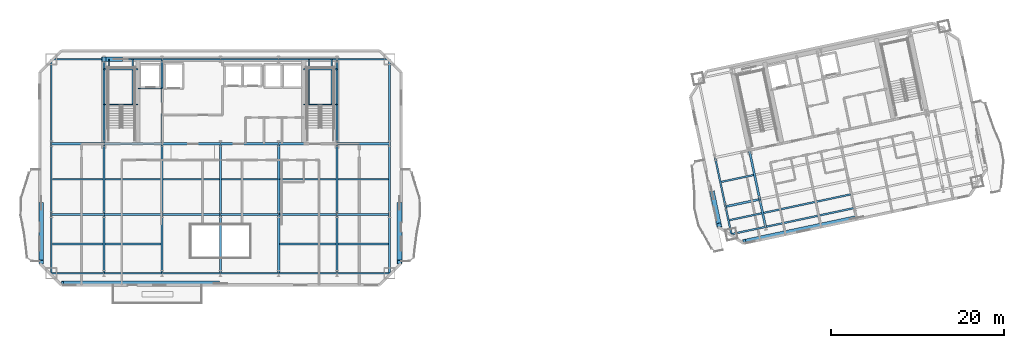
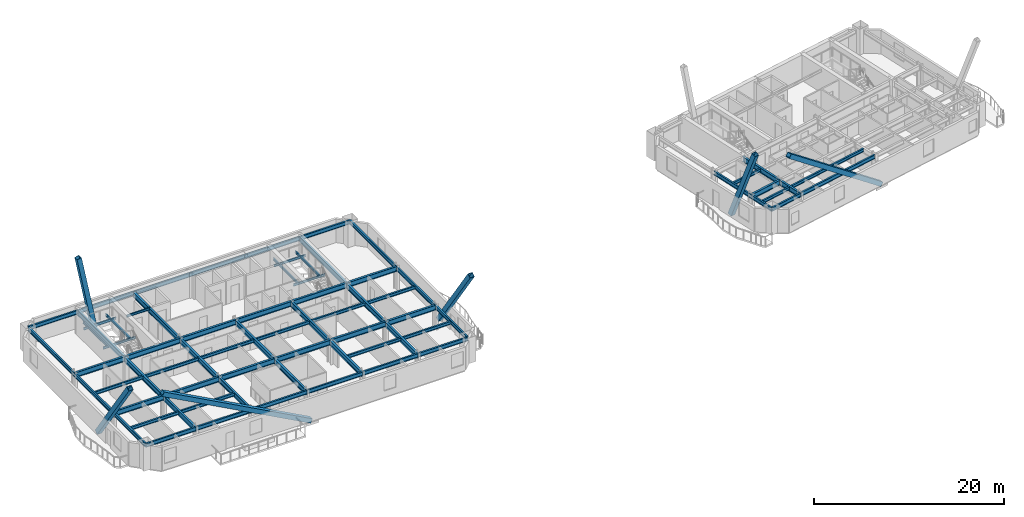
# One storey, part 3 of 13: 72 beams, 6 members.
"""IFC4 building model written with IfcOpenShell, lengths in metres."""

from ifc_helpers import new_model, si_unit, direction, frame, origin, origin_2d, place, context, subcontext, project, spatial, hollow_rectangle, i_section, extrude, material, material_profile, profile_set, type_object, element, save


model = new_model("IFC4")

# Units and contexts
model_context = context("Model", 3, precision=1e-05, world=origin(), true_north=direction((0.0, 1.0)))
body_context = subcontext(model_context, "Body", "Model", "MODEL_VIEW")
ifc_project = project(units=[si_unit("LENGTHUNIT", "METRE"), si_unit("AREAUNIT", "SQUARE_METRE"), si_unit("VOLUMEUNIT", "CUBIC_METRE"), si_unit("PLANEANGLEUNIT", "RADIAN"), si_unit("MASSUNIT", "GRAM", prefix="KILO")], contexts=[model_context])

# Site, building, storey
site_placement = place(None, origin())
site = spatial("IfcSite", under=ifc_project, at=site_placement, CompositionType="ELEMENT")
building_placement = place(site_placement, origin())
building = spatial("IfcBuilding", under=site, at=building_placement, Name="Haevon Station Towers", CompositionType="ELEMENT")
storey_placement = place(building_placement, frame((0.0, 0.0, 165.89990234375)))
storey = spatial("IfcBuildingStorey", under=building, at=storey_placement, Name="L45", CompositionType="ELEMENT", Elevation=165.89990234375)

# Beams
ifc_material_1 = material(Name="Steel S355", Category="steel")
ifc_material_profile_1 = material_profile(ifc_material_1, i_section(OverallWidth=0.25, OverallDepth=0.64990234375, WebThickness=0.012939453125, FlangeThickness=0.02197265625, at=origin_2d()), Name="H-650x250x13x22")
ifc_profile_set_1 = profile_set([ifc_material_profile_1], Name="Steel S355")
beam_type_1 = type_object("IfcBeamType", Name="BM-G650", PredefinedType="BEAM", material=ifc_profile_set_1)
beam_1_placement = place(storey_placement, frame((17.925048828125, 30.0, 2.72509765625), z_axis=(1.0, 0.0, 0.0), x_axis=(0.0, 1.0, 0.0)))
element("IfcBeam", 1, at=beam_1_placement, inside=storey, type_object=beam_type_1, Name="BM-T1U-L45-02-01", PredefinedType="BEAM", context=body_context, shape_type="SweptSolid", body=[
    extrude(i_section(OverallWidth=0.25, OverallDepth=0.64990234375, WebThickness=0.012939453125, FlangeThickness=0.02197265625, at=origin_2d()), origin(), (0.0, 0.0, 1.0), 6.074951171875),
])
for number, where, z_axis, x_axis, name in (
    (2, (24.0, 30.0, 2.72509765625), (1.0, 0.0, 0.0), (0.0, 1.0, 0.0), "BM-T1U-L45-02-02"),
    (3, (30.75, 30.0, 2.72509765625), (1.0, 0.0, 0.0), (0.0, 1.0, 0.0), "BM-T1U-L45-02-03"),
    (4, (37.5, 30.0, 2.72509765625), (1.0, 0.0, 0.0), (0.0, 1.0, 0.0), "BM-T1U-L45-02-04"),
    (5, (44.25, 30.0, 2.72509765625), (1.0, 0.0, 0.0), (0.0, 1.0, 0.0), "BM-T1U-L45-02-05"),
):
    element("IfcBeam", number, at=place(storey_placement, frame(where, z_axis=z_axis, x_axis=x_axis)), inside=storey, type_object=beam_type_1, Name=name, PredefinedType="BEAM", context=body_context, shape_type="SweptSolid", body=[
        extrude(i_section(OverallWidth=0.25, OverallDepth=0.64990234375, WebThickness=0.012939453125, FlangeThickness=0.02197265625, at=origin_2d()), origin(), (0.0, 0.0, 1.0), 6.75),
    ])
for number, where, z_axis, x_axis, name in (
    (6, (51.0, 30.0, 2.72509765625), (1.0, 0.0, 0.0), (0.0, 1.0, 0.0), "BM-T1U-L45-02-06"),
    (7, (17.925048828125, 38.199951171875, 2.72509765625), (1.0, 0.0, 0.0), (0.0, 1.0, 0.0), "BM-T1U-L45-03-01"),
):
    element("IfcBeam", number, at=place(storey_placement, frame(where, z_axis=z_axis, x_axis=x_axis)), inside=storey, type_object=beam_type_1, Name=name, PredefinedType="BEAM", context=body_context, shape_type="SweptSolid", body=[
        extrude(i_section(OverallWidth=0.25, OverallDepth=0.64990234375, WebThickness=0.012939453125, FlangeThickness=0.02197265625, at=origin_2d()), origin(), (0.0, 0.0, 1.0), 6.074951171875),
    ])
for number, where, z_axis, x_axis, name in (
    (8, (24.0, 38.199951171875, 2.72509765625), (1.0, 0.0, 0.0), (0.0, 1.0, 0.0), "BM-T1U-L45-03-02"),
    (9, (30.75, 38.199951171875, 2.72509765625), (1.0, 0.0, 0.0), (0.0, 1.0, 0.0), "BM-T1U-L45-03-03"),
    (10, (37.5, 38.199951171875, 2.72509765625), (1.0, 0.0, 0.0), (0.0, 1.0, 0.0), "BM-T1U-L45-03-04"),
    (11, (44.25, 38.199951171875, 2.72509765625), (1.0, 0.0, 0.0), (0.0, 1.0, 0.0), "BM-T1U-L45-03-05"),
):
    element("IfcBeam", number, at=place(storey_placement, frame(where, z_axis=z_axis, x_axis=x_axis)), inside=storey, type_object=beam_type_1, Name=name, PredefinedType="BEAM", context=body_context, shape_type="SweptSolid", body=[
        extrude(i_section(OverallWidth=0.25, OverallDepth=0.64990234375, WebThickness=0.012939453125, FlangeThickness=0.02197265625, at=origin_2d()), origin(), (0.0, 0.0, 1.0), 6.75),
    ])
beam_2_placement = place(storey_placement, frame((51.0, 38.199951171875, 2.72509765625), z_axis=(1.0, 0.0, 0.0), x_axis=(0.0, 1.0, 0.0)))
element("IfcBeam", 12, at=beam_2_placement, inside=storey, type_object=beam_type_1, Name="BM-T1U-L45-03-06", PredefinedType="BEAM", context=body_context, shape_type="SweptSolid", body=[
    extrude(i_section(OverallWidth=0.25, OverallDepth=0.64990234375, WebThickness=0.012939453125, FlangeThickness=0.02197265625, at=origin_2d()), origin(), (0.0, 0.0, 1.0), 6.074951171875),
])
beam_3_placement = place(storey_placement, frame((24.0, 23.199951171875, 2.72509765625), z_axis=(0.0, 1.0, 0.0), x_axis=(-1.0, 0.0, 0.0)))
element("IfcBeam", 13, at=beam_3_placement, inside=storey, type_object=beam_type_1, Name="BM-T1V-L45-02-01", PredefinedType="BEAM", context=body_context, shape_type="SweptSolid", body=[
    extrude(i_section(OverallWidth=0.25, OverallDepth=0.64990234375, WebThickness=0.012939453125, FlangeThickness=0.02197265625, at=origin_2d()), origin(), (0.0, 0.0, 1.0), 6.800048828125),
])
beam_4_placement = place(storey_placement, frame((24.0, 30.0, 2.72509765625), z_axis=(0.0, 1.0, 0.0), x_axis=(-1.0, 0.0, 0.0)))
element("IfcBeam", 14, at=beam_4_placement, inside=storey, type_object=beam_type_1, Name="BM-T1V-L45-02-02", PredefinedType="BEAM", context=body_context, shape_type="SweptSolid", body=[
    extrude(i_section(OverallWidth=0.25, OverallDepth=0.64990234375, WebThickness=0.012939453125, FlangeThickness=0.02197265625, at=origin_2d()), origin(), (0.0, 0.0, 1.0), 8.199951171875),
])
beam_5_placement = place(storey_placement, frame((24.0, 38.199951171875, 2.72509765625), z_axis=(0.0, 1.0, 0.0), x_axis=(-1.0, 0.0, 0.0)))
element("IfcBeam", 15, at=beam_5_placement, inside=storey, type_object=beam_type_1, Name="BM-T1V-L45-02-03", PredefinedType="BEAM", context=body_context, shape_type="SweptSolid", body=[
    extrude(i_section(OverallWidth=0.25, OverallDepth=0.64990234375, WebThickness=0.012939453125, FlangeThickness=0.02197265625, at=origin_2d()), origin(), (0.0, 0.0, 1.0), 9.800048828125),
])
beam_6_placement = place(storey_placement, frame((30.75, 23.199951171875, 2.72509765625), z_axis=(0.0, 1.0, 0.0), x_axis=(-1.0, 0.0, 0.0)))
element("IfcBeam", 16, at=beam_6_placement, inside=storey, type_object=beam_type_1, Name="BM-T1V-L45-03-01", PredefinedType="BEAM", context=body_context, shape_type="SweptSolid", body=[
    extrude(i_section(OverallWidth=0.25, OverallDepth=0.64990234375, WebThickness=0.012939453125, FlangeThickness=0.02197265625, at=origin_2d()), origin(), (0.0, 0.0, 1.0), 6.800048828125),
])
beam_7_placement = place(storey_placement, frame((30.75, 30.0, 2.72509765625), z_axis=(0.0, 1.0, 0.0), x_axis=(-1.0, 0.0, 0.0)))
element("IfcBeam", 17, at=beam_7_placement, inside=storey, type_object=beam_type_1, Name="BM-T1V-L45-03-02", PredefinedType="BEAM", context=body_context, shape_type="SweptSolid", body=[
    extrude(i_section(OverallWidth=0.25, OverallDepth=0.64990234375, WebThickness=0.012939453125, FlangeThickness=0.02197265625, at=origin_2d()), origin(), (0.0, 0.0, 1.0), 8.199951171875),
])
beam_8_placement = place(storey_placement, frame((30.75, 38.199951171875, 2.72509765625), z_axis=(0.0, 1.0, 0.0), x_axis=(-1.0, 0.0, 0.0)))
element("IfcBeam", 18, at=beam_8_placement, inside=storey, type_object=beam_type_1, Name="BM-T1V-L45-03-03", PredefinedType="BEAM", context=body_context, shape_type="SweptSolid", body=[
    extrude(i_section(OverallWidth=0.25, OverallDepth=0.64990234375, WebThickness=0.012939453125, FlangeThickness=0.02197265625, at=origin_2d()), origin(), (0.0, 0.0, 1.0), 9.800048828125),
])
beam_9_placement = place(storey_placement, frame((37.5, 23.199951171875, 2.72509765625), z_axis=(0.0, 1.0, 0.0), x_axis=(-1.0, 0.0, 0.0)))
element("IfcBeam", 19, at=beam_9_placement, inside=storey, type_object=beam_type_1, Name="BM-T1V-L45-04-01", PredefinedType="BEAM", context=body_context, shape_type="SweptSolid", body=[
    extrude(i_section(OverallWidth=0.25, OverallDepth=0.64990234375, WebThickness=0.012939453125, FlangeThickness=0.02197265625, at=origin_2d()), origin(), (0.0, 0.0, 1.0), 6.800048828125),
])
beam_10_placement = place(storey_placement, frame((37.5, 30.0, 2.72509765625), z_axis=(0.0, 1.0, 0.0), x_axis=(-1.0, 0.0, 0.0)))
element("IfcBeam", 20, at=beam_10_placement, inside=storey, type_object=beam_type_1, Name="BM-T1V-L45-04-02", PredefinedType="BEAM", context=body_context, shape_type="SweptSolid", body=[
    extrude(i_section(OverallWidth=0.25, OverallDepth=0.64990234375, WebThickness=0.012939453125, FlangeThickness=0.02197265625, at=origin_2d()), origin(), (0.0, 0.0, 1.0), 8.199951171875),
])
beam_11_placement = place(storey_placement, frame((44.25, 23.199951171875, 2.72509765625), z_axis=(0.0, 1.0, 0.0), x_axis=(-1.0, 0.0, 0.0)))
element("IfcBeam", 21, at=beam_11_placement, inside=storey, type_object=beam_type_1, Name="BM-T1V-L45-05-01", PredefinedType="BEAM", context=body_context, shape_type="SweptSolid", body=[
    extrude(i_section(OverallWidth=0.25, OverallDepth=0.64990234375, WebThickness=0.012939453125, FlangeThickness=0.02197265625, at=origin_2d()), origin(), (0.0, 0.0, 1.0), 6.800048828125),
])
beam_12_placement = place(storey_placement, frame((44.25, 30.0, 2.72509765625), z_axis=(0.0, 1.0, 0.0), x_axis=(-1.0, 0.0, 0.0)))
element("IfcBeam", 22, at=beam_12_placement, inside=storey, type_object=beam_type_1, Name="BM-T1V-L45-05-02", PredefinedType="BEAM", context=body_context, shape_type="SweptSolid", body=[
    extrude(i_section(OverallWidth=0.25, OverallDepth=0.64990234375, WebThickness=0.012939453125, FlangeThickness=0.02197265625, at=origin_2d()), origin(), (0.0, 0.0, 1.0), 8.199951171875),
])
beam_13_placement = place(storey_placement, frame((51.0, 23.199951171875, 2.72509765625), z_axis=(0.0, 1.0, 0.0), x_axis=(-1.0, 0.0, 0.0)))
element("IfcBeam", 23, at=beam_13_placement, inside=storey, type_object=beam_type_1, Name="BM-T1V-L45-06-01", PredefinedType="BEAM", context=body_context, shape_type="SweptSolid", body=[
    extrude(i_section(OverallWidth=0.25, OverallDepth=0.64990234375, WebThickness=0.012939453125, FlangeThickness=0.02197265625, at=origin_2d()), origin(), (0.0, 0.0, 1.0), 6.800048828125),
])
beam_14_placement = place(storey_placement, frame((51.0, 30.0, 2.72509765625), z_axis=(0.0, 1.0, 0.0), x_axis=(-1.0, 0.0, 0.0)))
element("IfcBeam", 24, at=beam_14_placement, inside=storey, type_object=beam_type_1, Name="BM-T1V-L45-06-02", PredefinedType="BEAM", context=body_context, shape_type="SweptSolid", body=[
    extrude(i_section(OverallWidth=0.25, OverallDepth=0.64990234375, WebThickness=0.012939453125, FlangeThickness=0.02197265625, at=origin_2d()), origin(), (0.0, 0.0, 1.0), 8.199951171875),
])
beam_15_placement = place(storey_placement, frame((51.0, 38.199951171875, 2.72509765625), z_axis=(0.0, 1.0, 0.0), x_axis=(-1.0, 0.0, 0.0)))
element("IfcBeam", 25, at=beam_15_placement, inside=storey, type_object=beam_type_1, Name="BM-T1V-L45-06-03", PredefinedType="BEAM", context=body_context, shape_type="SweptSolid", body=[
    extrude(i_section(OverallWidth=0.25, OverallDepth=0.64990234375, WebThickness=0.012939453125, FlangeThickness=0.02197265625, at=origin_2d()), origin(), (0.0, 0.0, 1.0), 9.800048828125),
])
beam_16_placement = place(storey_placement, frame((95.996826171875, 30.927001953125, 2.72509765625), z_axis=(0.978146899108, 0.207914991681, 0.0), x_axis=(-0.207914991681, 0.978146899108, 0.0)))
element("IfcBeam", 26, at=beam_16_placement, inside=storey, type_object=beam_type_1, Name="BM-T2U-L45-02-01", PredefinedType="BEAM", context=body_context, shape_type="SweptSolid", body=[
    extrude(i_section(OverallWidth=0.25, OverallDepth=0.64990234375, WebThickness=0.012939453125, FlangeThickness=0.02197265625, at=origin_2d()), origin(), (0.0, 0.0, 1.0), 4.050048828125),
])
beam_17_placement = place(storey_placement, frame((100.635986328125, 28.580322265625, 2.72509765625), z_axis=(-0.207897270364, 0.978150665785, 0.0), x_axis=(-0.978150665785, -0.207897270364, 0.0)))
element("IfcBeam", 27, at=beam_17_placement, inside=storey, type_object=beam_type_1, Name="BM-T2V-L45-02-01", PredefinedType="BEAM", context=body_context, shape_type="SweptSolid", body=[
    extrude(i_section(OverallWidth=0.25, OverallDepth=0.64990234375, WebThickness=0.012939453125, FlangeThickness=0.02197265625, at=origin_2d()), origin(), (0.0, 0.0, 1.0), 3.260009765625),
])
beam_18_placement = place(storey_placement, frame((99.958251953125, 31.76904296875, 2.72509765625), z_axis=(-0.207896009217, 0.97815093383, 0.0), x_axis=(-0.97815093383, -0.207896009217, 0.0)))
element("IfcBeam", 28, at=beam_18_placement, inside=storey, type_object=beam_type_1, Name="BM-T2V-L45-02-02", PredefinedType="BEAM", context=body_context, shape_type="SweptSolid", body=[
    extrude(i_section(OverallWidth=0.25, OverallDepth=0.64990234375, WebThickness=0.012939453125, FlangeThickness=0.02197265625, at=origin_2d()), origin(), (0.0, 0.0, 1.0), 5.800048828125),
])
ifc_material_profile_2 = material_profile(ifc_material_1, i_section(OverallWidth=0.199951171875, OverallDepth=0.39990234375, WebThickness=0.008056640625, FlangeThickness=0.012939453125, at=origin_2d()), Name="H-400x200x8x13")
ifc_profile_set_2 = profile_set([ifc_material_profile_2], Name="Steel S355")
beam_type_2 = type_object("IfcBeamType", Name="BM-J400", PredefinedType="JOIST", material=ifc_profile_set_2)
beam_19_placement = place(storey_placement, frame((18.034912109375, 26.60009765625, 2.85009765625), z_axis=(1.0, 0.0, 0.0), x_axis=(0.0, 1.0, 0.0)))
element("IfcBeam", 29, at=beam_19_placement, inside=storey, type_object=beam_type_2, Name="BM-T1J-L45-01-01", PredefinedType="JOIST", context=body_context, shape_type="SweptSolid", body=[
    extrude(i_section(OverallWidth=0.199951171875, OverallDepth=0.39990234375, WebThickness=0.008056640625, FlangeThickness=0.012939453125, at=origin_2d()), origin(), (0.0, 0.0, 1.0), 5.85498046875),
])
for number, where, z_axis, x_axis, name in (
    (30, (24.110107421875, 26.60009765625, 2.85009765625), (1.0, 0.0, 0.0), (0.0, 1.0, 0.0), "BM-T1J-L45-01-02"),
    (31, (44.360107421875, 26.60009765625, 2.85009765625), (1.0, 0.0, 0.0), (0.0, 1.0, 0.0), "BM-T1J-L45-01-05"),
):
    element("IfcBeam", number, at=place(storey_placement, frame(where, z_axis=z_axis, x_axis=x_axis)), inside=storey, type_object=beam_type_2, Name=name, PredefinedType="JOIST", context=body_context, shape_type="SweptSolid", body=[
        extrude(i_section(OverallWidth=0.199951171875, OverallDepth=0.39990234375, WebThickness=0.008056640625, FlangeThickness=0.012939453125, at=origin_2d()), origin(), (0.0, 0.0, 1.0), 6.52978515625),
    ])
for number, where, z_axis, x_axis, name in (
    (32, (51.110107421875, 26.60009765625, 2.85009765625), (1.0, 0.0, 0.0), (0.0, 1.0, 0.0), "BM-T1J-L45-01-06"),
    (33, (18.034912109375, 34.10009765625, 2.85009765625), (1.0, 0.0, 0.0), (0.0, 1.0, 0.0), "BM-T1J-L45-02-01"),
):
    element("IfcBeam", number, at=place(storey_placement, frame(where, z_axis=z_axis, x_axis=x_axis)), inside=storey, type_object=beam_type_2, Name=name, PredefinedType="JOIST", context=body_context, shape_type="SweptSolid", body=[
        extrude(i_section(OverallWidth=0.199951171875, OverallDepth=0.39990234375, WebThickness=0.008056640625, FlangeThickness=0.012939453125, at=origin_2d()), origin(), (0.0, 0.0, 1.0), 5.85498046875),
    ])
for number, where, z_axis, x_axis, name in (
    (34, (24.110107421875, 34.10009765625, 2.85009765625), (1.0, 0.0, 0.0), (0.0, 1.0, 0.0), "BM-T1J-L45-02-02"),
    (35, (30.860107421875, 34.10009765625, 2.85009765625), (1.0, 0.0, 0.0), (0.0, 1.0, 0.0), "BM-T1J-L45-02-03"),
    (36, (37.610107421875, 34.10009765625, 2.85009765625), (1.0, 0.0, 0.0), (0.0, 1.0, 0.0), "BM-T1J-L45-02-04"),
    (37, (44.360107421875, 34.10009765625, 2.85009765625), (1.0, 0.0, 0.0), (0.0, 1.0, 0.0), "BM-T1J-L45-02-05"),
):
    element("IfcBeam", number, at=place(storey_placement, frame(where, z_axis=z_axis, x_axis=x_axis)), inside=storey, type_object=beam_type_2, Name=name, PredefinedType="JOIST", context=body_context, shape_type="SweptSolid", body=[
        extrude(i_section(OverallWidth=0.199951171875, OverallDepth=0.39990234375, WebThickness=0.008056640625, FlangeThickness=0.012939453125, at=origin_2d()), origin(), (0.0, 0.0, 1.0), 6.52978515625),
    ])
beam_20_placement = place(storey_placement, frame((51.110107421875, 34.10009765625, 2.85009765625), z_axis=(1.0, 0.0, 0.0), x_axis=(0.0, 1.0, 0.0)))
element("IfcBeam", 38, at=beam_20_placement, inside=storey, type_object=beam_type_2, Name="BM-T1J-L45-02-06", PredefinedType="JOIST", context=body_context, shape_type="SweptSolid", body=[
    extrude(i_section(OverallWidth=0.199951171875, OverallDepth=0.39990234375, WebThickness=0.008056640625, FlangeThickness=0.012939453125, at=origin_2d()), origin(), (0.0, 0.0, 1.0), 5.85498046875),
])
beam_21_placement = place(storey_placement, frame((96.443115234375, 29.355712890625, 2.85009765625), z_axis=(0.978156420772, 0.207870191472, 0.0), x_axis=(-0.207870191472, 0.978156420772, 0.0)))
element("IfcBeam", 39, at=beam_21_placement, inside=storey, type_object=beam_type_2, Name="BM-T2J-L45-01-01", PredefinedType="JOIST", context=body_context, shape_type="SweptSolid", body=[
    extrude(i_section(OverallWidth=0.199951171875, OverallDepth=0.39990234375, WebThickness=0.008056640625, FlangeThickness=0.012939453125, at=origin_2d()), origin(), (0.0, 0.0, 1.0), 3.830078125),
])
beam_22_placement = place(storey_placement, frame((100.40478515625, 30.19775390625, 2.85009765625), z_axis=(0.978150339653, 0.207898804801, 0.0), x_axis=(-0.207898804801, 0.978150339653, 0.0)))
element("IfcBeam", 40, at=beam_22_placement, inside=storey, type_object=beam_type_2, Name="BM-T2J-L45-01-02", PredefinedType="JOIST", context=body_context, shape_type="SweptSolid", body=[
    extrude(i_section(OverallWidth=0.199951171875, OverallDepth=0.39990234375, WebThickness=0.008056640625, FlangeThickness=0.012939453125, at=origin_2d()), origin(), (0.0, 0.0, 1.0), 10.280029296875),
])
beam_23_placement = place(storey_placement, frame((95.50146484375, 33.78662109375, 2.85009765625), z_axis=(0.97814345794, 0.207931180176, 0.0), x_axis=(-0.207931180176, 0.97814345794, 0.0)))
element("IfcBeam", 41, at=beam_23_placement, inside=storey, type_object=beam_type_2, Name="BM-T2J-L45-02-01", PredefinedType="JOIST", context=body_context, shape_type="SweptSolid", body=[
    extrude(i_section(OverallWidth=0.199951171875, OverallDepth=0.39990234375, WebThickness=0.008056640625, FlangeThickness=0.012939453125, at=origin_2d()), origin(), (0.0, 0.0, 1.0), 3.830078125),
])
ifc_material_profile_3 = material_profile(ifc_material_1, i_section(OverallWidth=0.14990234375, OverallDepth=0.300048828125, WebThickness=0.006591796875, FlangeThickness=0.009033203125, at=origin_2d()), Name="H-300x150x6.5x9")
ifc_profile_set_3 = profile_set([ifc_material_profile_3], Name="Steel S355")
beam_type_3 = type_object("IfcBeamType", Name="BM-LIN300", PredefinedType="LINTEL", material=ifc_profile_set_3)
for number, where, z_axis, x_axis, name in (
    (42, (24.0, 42.743896484375, 1.300048828125), (1.0, 0.0, 0.0), (0.0, 1.0, 0.0), "BM-ST1L-L45-1-S"),
    (43, (24.0, 46.820068359375, 1.300048828125), (1.0, 0.0, 0.0), (0.0, 1.0, 0.0), "BM-ST1L-L45-1-N"),
):
    element("IfcBeam", number, at=place(storey_placement, frame(where, z_axis=z_axis, x_axis=x_axis)), inside=storey, type_object=beam_type_3, Name=name, PredefinedType="LINTEL", context=body_context, shape_type="SweptSolid", body=[
        extrude(i_section(OverallWidth=0.14990234375, OverallDepth=0.300048828125, WebThickness=0.006591796875, FlangeThickness=0.009033203125, at=origin_2d()), origin(), (0.0, 0.0, 1.0), 3.949951171875),
    ])
for number, where, z_axis, x_axis, name in (
    (44, (24.60009765625, 42.743896484375, 1.300048828125), (0.0, 1.0, 0.0), (-1.0, 0.0, 0.0), "BM-ST1L-L45-1-W"),
    (45, (27.35009765625, 42.743896484375, 1.300048828125), (0.0, 1.0, 0.0), (-1.0, 0.0, 0.0), "BM-ST1L-L45-1-E"),
):
    element("IfcBeam", number, at=place(storey_placement, frame(where, z_axis=z_axis, x_axis=x_axis)), inside=storey, type_object=beam_type_3, Name=name, PredefinedType="LINTEL", context=body_context, shape_type="SweptSolid", body=[
        extrude(i_section(OverallWidth=0.14990234375, OverallDepth=0.300048828125, WebThickness=0.006591796875, FlangeThickness=0.009033203125, at=origin_2d()), origin(), (0.0, 0.0, 1.0), 5.256103515625),
    ])
for number, where, z_axis, x_axis, name in (
    (46, (47.14990234375, 42.743896484375, 1.300048828125), (1.0, 0.0, 0.0), (0.0, 1.0, 0.0), "BM-ST2L-L45-1-S"),
    (47, (47.14990234375, 46.820068359375, 1.300048828125), (1.0, 0.0, 0.0), (0.0, 1.0, 0.0), "BM-ST2L-L45-1-N"),
):
    element("IfcBeam", number, at=place(storey_placement, frame(where, z_axis=z_axis, x_axis=x_axis)), inside=storey, type_object=beam_type_3, Name=name, PredefinedType="LINTEL", context=body_context, shape_type="SweptSolid", body=[
        extrude(i_section(OverallWidth=0.14990234375, OverallDepth=0.300048828125, WebThickness=0.006591796875, FlangeThickness=0.009033203125, at=origin_2d()), origin(), (0.0, 0.0, 1.0), 3.85009765625),
    ])
for number, where, z_axis, x_axis, name in (
    (48, (47.75, 42.743896484375, 1.300048828125), (0.0, 1.0, 0.0), (-1.0, 0.0, 0.0), "BM-ST2L-L45-1-W"),
    (49, (50.39990234375, 42.743896484375, 1.300048828125), (0.0, 1.0, 0.0), (-1.0, 0.0, 0.0), "BM-ST2L-L45-1-E"),
):
    element("IfcBeam", number, at=place(storey_placement, frame(where, z_axis=z_axis, x_axis=x_axis)), inside=storey, type_object=beam_type_3, Name=name, PredefinedType="LINTEL", context=body_context, shape_type="SweptSolid", body=[
        extrude(i_section(OverallWidth=0.14990234375, OverallDepth=0.300048828125, WebThickness=0.006591796875, FlangeThickness=0.009033203125, at=origin_2d()), origin(), (0.0, 0.0, 1.0), 5.256103515625),
    ])
beam_24_placement = place(storey_placement, frame((27.949951171875, 44.60009765625, 2.900146484375), z_axis=(1.0, 0.0, 0.0), x_axis=(0.0, 1.0, 0.0)))
element("IfcBeam", 50, at=beam_24_placement, inside=storey, type_object=beam_type_3, Name="BM-T1LIN-L45", PredefinedType="LINTEL", context=body_context, shape_type="SweptSolid", body=[
    extrude(i_section(OverallWidth=0.14990234375, OverallDepth=0.300048828125, WebThickness=0.006591796875, FlangeThickness=0.009033203125, at=origin_2d()), origin(), (0.0, 0.0, 1.0), 2.85009765625),
])
ifc_material_profile_4 = material_profile(ifc_material_1, i_section(OverallWidth=0.199951171875, OverallDepth=0.5, WebThickness=0.010009765625, FlangeThickness=0.01611328125, at=origin_2d()), Name="H-500x200x10x16")
ifc_profile_set_4 = profile_set([ifc_material_profile_4], Name="Steel S355")
beam_type_4 = type_object("IfcBeamType", Name="BM-SP500", PredefinedType="SPANDREL", material=ifc_profile_set_4)
beam_25_placement = place(storey_placement, frame((17.925048828125, 23.199951171875, 2.800048828125), z_axis=(1.0, 0.0, 0.0), x_axis=(0.0, 1.0, 0.0)))
element("IfcBeam", 51, at=beam_25_placement, inside=storey, type_object=beam_type_4, Name="BM-T1U-L45-01-01", PredefinedType="SPANDREL", context=body_context, shape_type="SweptSolid", body=[
    extrude(i_section(OverallWidth=0.199951171875, OverallDepth=0.5, WebThickness=0.010009765625, FlangeThickness=0.01611328125, at=origin_2d()), origin(), (0.0, 0.0, 1.0), 6.074951171875),
])
for number, where, z_axis, x_axis, name in (
    (52, (24.0, 23.199951171875, 2.800048828125), (1.0, 0.0, 0.0), (0.0, 1.0, 0.0), "BM-T1U-L45-01-02"),
    (53, (30.75, 23.199951171875, 2.800048828125), (1.0, 0.0, 0.0), (0.0, 1.0, 0.0), "BM-T1U-L45-01-03"),
    (54, (37.5, 23.199951171875, 2.800048828125), (1.0, 0.0, 0.0), (0.0, 1.0, 0.0), "BM-T1U-L45-01-04"),
    (55, (44.25, 23.199951171875, 2.800048828125), (1.0, 0.0, 0.0), (0.0, 1.0, 0.0), "BM-T1U-L45-01-05"),
):
    element("IfcBeam", number, at=place(storey_placement, frame(where, z_axis=z_axis, x_axis=x_axis)), inside=storey, type_object=beam_type_4, Name=name, PredefinedType="SPANDREL", context=body_context, shape_type="SweptSolid", body=[
        extrude(i_section(OverallWidth=0.199951171875, OverallDepth=0.5, WebThickness=0.010009765625, FlangeThickness=0.01611328125, at=origin_2d()), origin(), (0.0, 0.0, 1.0), 6.75),
    ])
for number, where, z_axis, x_axis, name in (
    (56, (51.0, 23.199951171875, 2.800048828125), (1.0, 0.0, 0.0), (0.0, 1.0, 0.0), "BM-T1U-L45-01-06"),
    (57, (17.925048828125, 48.0, 2.800048828125), (1.0, 0.0, 0.0), (0.0, 1.0, 0.0), "BM-T1U-L45-04-01"),
):
    element("IfcBeam", number, at=place(storey_placement, frame(where, z_axis=z_axis, x_axis=x_axis)), inside=storey, type_object=beam_type_4, Name=name, PredefinedType="SPANDREL", context=body_context, shape_type="SweptSolid", body=[
        extrude(i_section(OverallWidth=0.199951171875, OverallDepth=0.5, WebThickness=0.010009765625, FlangeThickness=0.01611328125, at=origin_2d()), origin(), (0.0, 0.0, 1.0), 6.074951171875),
    ])
for number, where, z_axis, x_axis, name in (
    (58, (24.0, 48.0, 2.800048828125), (1.0, 0.0, 0.0), (0.0, 1.0, 0.0), "BM-T1U-L45-04-02"),
    (59, (30.75, 48.0, 2.800048828125), (1.0, 0.0, 0.0), (0.0, 1.0, 0.0), "BM-T1U-L45-04-03"),
    (60, (37.5, 48.0, 2.800048828125), (1.0, 0.0, 0.0), (0.0, 1.0, 0.0), "BM-T1U-L45-04-04"),
    (61, (44.25, 48.0, 2.800048828125), (1.0, 0.0, 0.0), (0.0, 1.0, 0.0), "BM-T1U-L45-04-05"),
):
    element("IfcBeam", number, at=place(storey_placement, frame(where, z_axis=z_axis, x_axis=x_axis)), inside=storey, type_object=beam_type_4, Name=name, PredefinedType="SPANDREL", context=body_context, shape_type="SweptSolid", body=[
        extrude(i_section(OverallWidth=0.199951171875, OverallDepth=0.5, WebThickness=0.010009765625, FlangeThickness=0.01611328125, at=origin_2d()), origin(), (0.0, 0.0, 1.0), 6.75),
    ])
beam_26_placement = place(storey_placement, frame((51.0, 48.0, 2.800048828125), z_axis=(1.0, 0.0, 0.0), x_axis=(0.0, 1.0, 0.0)))
element("IfcBeam", 62, at=beam_26_placement, inside=storey, type_object=beam_type_4, Name="BM-T1U-L45-04-06", PredefinedType="SPANDREL", context=body_context, shape_type="SweptSolid", body=[
    extrude(i_section(OverallWidth=0.199951171875, OverallDepth=0.5, WebThickness=0.010009765625, FlangeThickness=0.01611328125, at=origin_2d()), origin(), (0.0, 0.0, 1.0), 6.074951171875),
])
beam_27_placement = place(storey_placement, frame((17.925048828125, 23.199951171875, 2.800048828125), z_axis=(0.0, 1.0, 0.0), x_axis=(-1.0, 0.0, 0.0)))
element("IfcBeam", 63, at=beam_27_placement, inside=storey, type_object=beam_type_4, Name="BM-T1V-L45-01-01", PredefinedType="SPANDREL", context=body_context, shape_type="SweptSolid", body=[
    extrude(i_section(OverallWidth=0.199951171875, OverallDepth=0.5, WebThickness=0.010009765625, FlangeThickness=0.01611328125, at=origin_2d()), origin(), (0.0, 0.0, 1.0), 6.800048828125),
])
beam_28_placement = place(storey_placement, frame((17.925048828125, 30.0, 2.800048828125), z_axis=(0.0, 1.0, 0.0), x_axis=(-1.0, 0.0, 0.0)))
element("IfcBeam", 64, at=beam_28_placement, inside=storey, type_object=beam_type_4, Name="BM-T1V-L45-01-02", PredefinedType="SPANDREL", context=body_context, shape_type="SweptSolid", body=[
    extrude(i_section(OverallWidth=0.199951171875, OverallDepth=0.5, WebThickness=0.010009765625, FlangeThickness=0.01611328125, at=origin_2d()), origin(), (0.0, 0.0, 1.0), 8.199951171875),
])
beam_29_placement = place(storey_placement, frame((17.925048828125, 38.199951171875, 2.800048828125), z_axis=(0.0, 1.0, 0.0), x_axis=(-1.0, 0.0, 0.0)))
element("IfcBeam", 65, at=beam_29_placement, inside=storey, type_object=beam_type_4, Name="BM-T1V-L45-01-03", PredefinedType="SPANDREL", context=body_context, shape_type="SweptSolid", body=[
    extrude(i_section(OverallWidth=0.199951171875, OverallDepth=0.5, WebThickness=0.010009765625, FlangeThickness=0.01611328125, at=origin_2d()), origin(), (0.0, 0.0, 1.0), 9.800048828125),
])
beam_30_placement = place(storey_placement, frame((57.074951171875, 23.199951171875, 2.800048828125), z_axis=(0.0, 1.0, 0.0), x_axis=(-1.0, 0.0, 0.0)))
element("IfcBeam", 66, at=beam_30_placement, inside=storey, type_object=beam_type_4, Name="BM-T1V-L45-07-01", PredefinedType="SPANDREL", context=body_context, shape_type="SweptSolid", body=[
    extrude(i_section(OverallWidth=0.199951171875, OverallDepth=0.5, WebThickness=0.010009765625, FlangeThickness=0.01611328125, at=origin_2d()), origin(), (0.0, 0.0, 1.0), 6.800048828125),
])
beam_31_placement = place(storey_placement, frame((57.074951171875, 30.0, 2.800048828125), z_axis=(0.0, 1.0, 0.0), x_axis=(-1.0, 0.0, 0.0)))
element("IfcBeam", 67, at=beam_31_placement, inside=storey, type_object=beam_type_4, Name="BM-T1V-L45-07-02", PredefinedType="SPANDREL", context=body_context, shape_type="SweptSolid", body=[
    extrude(i_section(OverallWidth=0.199951171875, OverallDepth=0.5, WebThickness=0.010009765625, FlangeThickness=0.01611328125, at=origin_2d()), origin(), (0.0, 0.0, 1.0), 8.199951171875),
])
beam_32_placement = place(storey_placement, frame((57.074951171875, 38.199951171875, 2.800048828125), z_axis=(0.0, 1.0, 0.0), x_axis=(-1.0, 0.0, 0.0)))
element("IfcBeam", 68, at=beam_32_placement, inside=storey, type_object=beam_type_4, Name="BM-T1V-L45-07-03", PredefinedType="SPANDREL", context=body_context, shape_type="SweptSolid", body=[
    extrude(i_section(OverallWidth=0.199951171875, OverallDepth=0.5, WebThickness=0.010009765625, FlangeThickness=0.01611328125, at=origin_2d()), origin(), (0.0, 0.0, 1.0), 9.800048828125),
])
beam_33_placement = place(storey_placement, frame((96.674560546875, 27.73828125, 2.800048828125), z_axis=(0.978146899108, 0.207914991681, 0.0), x_axis=(-0.207914991681, 0.978146899108, 0.0)))
element("IfcBeam", 69, at=beam_33_placement, inside=storey, type_object=beam_type_4, Name="BM-T2U-L45-01-01", PredefinedType="SPANDREL", context=body_context, shape_type="SweptSolid", body=[
    extrude(i_section(OverallWidth=0.199951171875, OverallDepth=0.5, WebThickness=0.010009765625, FlangeThickness=0.01611328125, at=origin_2d()), origin(), (0.0, 0.0, 1.0), 4.050048828125),
])
beam_34_placement = place(storey_placement, frame((100.635986328125, 28.580322265625, 2.800048828125), z_axis=(0.978146794194, 0.207915485254, 0.0), x_axis=(-0.207915485254, 0.978146794194, 0.0)))
element("IfcBeam", 70, at=beam_34_placement, inside=storey, type_object=beam_type_4, Name="BM-T2U-L45-01-02", PredefinedType="SPANDREL", context=body_context, shape_type="SweptSolid", body=[
    extrude(i_section(OverallWidth=0.199951171875, OverallDepth=0.5, WebThickness=0.010009765625, FlangeThickness=0.01611328125, at=origin_2d()), origin(), (0.0, 0.0, 1.0), 10.5),
])
beam_35_placement = place(storey_placement, frame((96.674560546875, 27.73828125, 2.800048828125), z_axis=(-0.207897270364, 0.978150665785, 0.0), x_axis=(-0.978150665785, -0.207897270364, 0.0)))
element("IfcBeam", 71, at=beam_35_placement, inside=storey, type_object=beam_type_4, Name="BM-T2V-L45-01-01", PredefinedType="SPANDREL", context=body_context, shape_type="SweptSolid", body=[
    extrude(i_section(OverallWidth=0.199951171875, OverallDepth=0.5, WebThickness=0.010009765625, FlangeThickness=0.01611328125, at=origin_2d()), origin(), (0.0, 0.0, 1.0), 3.260009765625),
])
beam_36_placement = place(storey_placement, frame((95.996826171875, 30.927001953125, 2.800048828125), z_axis=(-0.207936282142, 0.978142373363, 0.0), x_axis=(-0.978142373363, -0.207936282142, 0.0)))
element("IfcBeam", 72, at=beam_36_placement, inside=storey, type_object=beam_type_4, Name="BM-T2V-L45-01-02", PredefinedType="SPANDREL", context=body_context, shape_type="SweptSolid", body=[
    extrude(i_section(OverallWidth=0.199951171875, OverallDepth=0.5, WebThickness=0.010009765625, FlangeThickness=0.01611328125, at=origin_2d()), origin(), (0.0, 0.0, 1.0), 5.800048828125),
])

# Members
ifc_material_2 = material(Name="Steel S460", Category="steel")
ifc_material_profile_5 = material_profile(ifc_material_2, hollow_rectangle(XDim=0.550048828125, YDim=0.550048828125, WallThickness=0.028076171875, at=origin_2d()), Name="RHS-550x550x28")
ifc_profile_set_5 = profile_set([ifc_material_profile_5], Name="Steel S460")
member_type = type_object("IfcMemberType", Name="MB-550", PredefinedType="BRACE", material=ifc_profile_set_5)
member_1_placement = place(storey_placement, frame((37.24755859375, 22.030029296875, 0.001708984375), z_axis=(-0.879575406915, 0.0, 0.475759501798), x_axis=(0.0, -1.0, 0.0)))
element("IfcMember", 73, at=member_1_placement, inside=storey, type_object=member_type, Name="BR-T1MB-T06-S-D2B", PredefinedType="BRACE", context=body_context, shape_type="SweptSolid", body=[
    extrude(hollow_rectangle(XDim=0.550048828125, YDim=0.550048828125, WallThickness=0.028076171875, at=origin_2d()), origin(), (0.0, 0.0, 1.0), 20.489990234375),
])
member_2_placement = place(storey_placement, frame((25.918701171875, 48.0, 0.146484375), z_axis=(-0.195919573051, 0.0, 0.98061996762), x_axis=(0.0, -1.0, 0.0)))
element("IfcMember", 74, at=member_2_placement, inside=storey, type_object=member_type, Name="BR-T1MB-T06-N-D2B", PredefinedType="BRACE", context=body_context, shape_type="SweptSolid", body=[
    extrude(hollow_rectangle(XDim=0.550048828125, YDim=0.550048828125, WallThickness=0.028076171875, at=origin_2d()), origin(), (0.0, 0.0, 1.0), 9.793212890625),
])
for number, where, z_axis, x_axis, name in (
    (75, (16.7548828125, 31.1865234375, 0.10107421875), (0.0, -0.56958409679, 0.821933060951), (1.0, 0.0, 0.0), "BR-T1MB-T06-W-D2B"),
    (76, (58.2451171875, 31.1865234375, 0.10107421875), (0.0, -0.56958409679, 0.821933060951), (1.0, 0.0, 0.0), "BR-T1MB-T06-E-D2B"),
):
    element("IfcMember", number, at=place(storey_placement, frame(where, z_axis=z_axis, x_axis=x_axis)), inside=storey, type_object=member_type, Name=name, PredefinedType="BRACE", context=body_context, shape_type="SweptSolid", body=[
        extrude(hollow_rectangle(XDim=0.550048828125, YDim=0.550048828125, WallThickness=0.028076171875, at=origin_2d()), origin(), (0.0, 0.0, 1.0), 11.7392578125),
    ])
member_3_placement = place(storey_placement, frame((110.9248046875, 29.5712890625, 0.03662109375), z_axis=(-0.784004324653, -0.166648262245, 0.597967871725), x_axis=(0.207915270313, -0.978146839882, 0.0)))
element("IfcMember", 77, at=member_3_placement, inside=storey, type_object=member_type, Name="BR-T2MB-T06-S-D2B", PredefinedType="BRACE", context=body_context, shape_type="SweptSolid", body=[
    extrude(hollow_rectangle(XDim=0.550048828125, YDim=0.550048828125, WallThickness=0.028076171875, at=origin_2d()), origin(), (0.0, 0.0, 1.0), 16.243896484375),
])
member_4_placement = place(storey_placement, frame((94.474853515625, 32.459228515625, 0.13232421875), z_axis=(0.075968667273, -0.357395363142, 0.930858375908), x_axis=(0.978146522194, 0.207916764883, 0.0)))
element("IfcMember", 78, at=member_4_placement, inside=storey, type_object=member_type, Name="BR-T2MB-T06-W-D2B", PredefinedType="BRACE", context=body_context, shape_type="SweptSolid", body=[
    extrude(hollow_rectangle(XDim=0.550048828125, YDim=0.550048828125, WallThickness=0.028076171875, at=origin_2d()), origin(), (0.0, 0.0, 1.0), 10.33203125),
])

save(model, "model.ifc")
